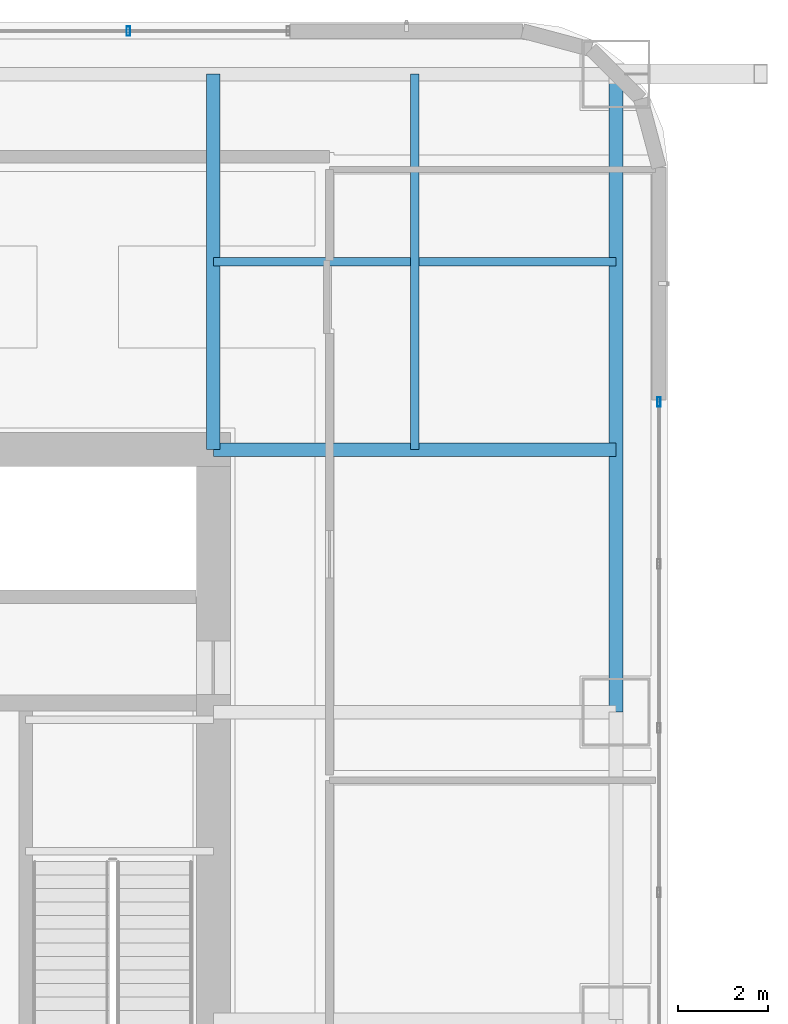
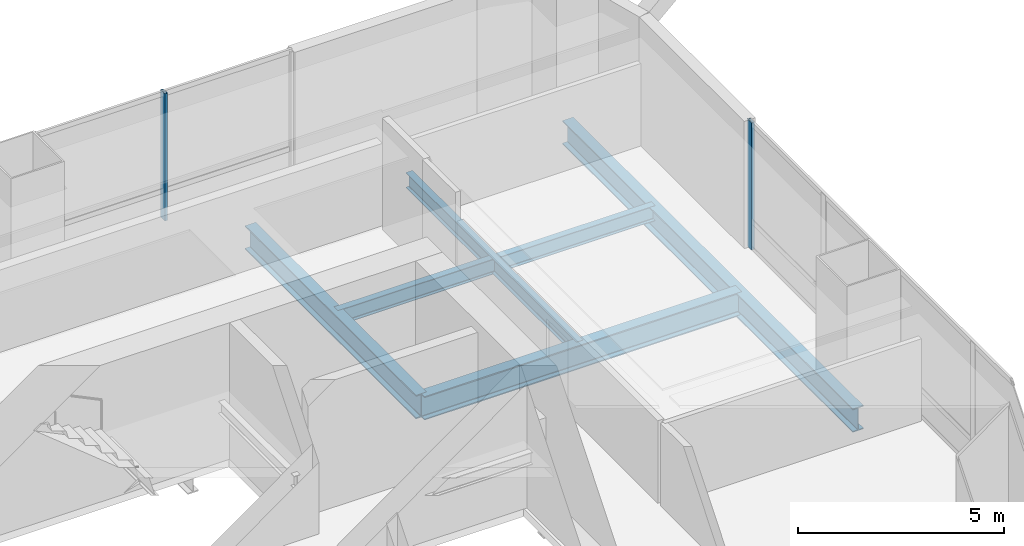
# One storey, part 23 of 45: 5 beams, 2 members, 2 elements without a shape of their own.
"""IFC4 building model written with IfcOpenShell, lengths in metres."""

from ifc_helpers import new_model, si_unit, direction, frame, origin, origin_2d, place, context, subcontext, project, spatial, hollow_rectangle, i_section, extrude, material, material_profile, profile_set, type_object, element, aggregate, save


model = new_model("IFC4")

# Units and contexts
model_context = context("Model", 3, precision=1e-05, world=origin(), true_north=direction((0.0, 1.0)))
body_context = subcontext(model_context, "Body", "Model", "MODEL_VIEW")
ifc_project = project(units=[si_unit("LENGTHUNIT", "METRE"), si_unit("AREAUNIT", "SQUARE_METRE"), si_unit("VOLUMEUNIT", "CUBIC_METRE"), si_unit("PLANEANGLEUNIT", "RADIAN"), si_unit("MASSUNIT", "GRAM", prefix="KILO")], contexts=[model_context])

# Site, building, storey
site_placement = place(None, origin())
site = spatial("IfcSite", under=ifc_project, at=site_placement, CompositionType="ELEMENT")
building_placement = place(site_placement, origin())
building = spatial("IfcBuilding", under=site, at=building_placement, Name="Punatoya Terracotta Tower", CompositionType="ELEMENT")
storey_placement = place(building_placement, frame((0.0, 0.0, 56.550048828125)))
storey = spatial("IfcBuildingStorey", under=building, at=storey_placement, Name="L12", CompositionType="ELEMENT", Elevation=56.550048828125)

# Beams
ifc_material_1 = material(Name="Steel S355", Category="steel")
ifc_material_profile_1 = material_profile(ifc_material_1, i_section(OverallWidth=0.300048828125, OverallDepth=0.699951171875, WebThickness=0.01708984375, FlangeThickness=0.031982421875, FilletRadius=0.01806640625, at=origin_2d()))
ifc_profile_set_1 = profile_set([ifc_material_profile_1], Name="Steel S355")
beam_type_1 = type_object("IfcBeamType", Name="BM-PRI-700", PredefinedType="BEAM", material=ifc_profile_set_1)
beam_1_placement = place(storey_placement, frame((19.10009765625, 3.39990234375, -0.590087890625), z_axis=(0.0, 1.0, 0.0), x_axis=(-1.0, 0.0, 0.0)))
element("IfcBeam", 1, at=beam_1_placement, inside=storey, type_object=beam_type_1, Name="BM-L12-RG-E3", PredefinedType="BEAM", context=body_context, shape_type="SweptSolid", body=[
    extrude(i_section(OverallWidth=0.300048828125, OverallDepth=0.699951171875, WebThickness=0.01708984375, FlangeThickness=0.031982421875, FilletRadius=0.01806640625, at=origin_2d()), origin(), (0.0, 0.0, 1.0), 14.10009765625),
])
beam_2_placement = place(storey_placement, frame((10.199951171875, 9.199951171875, -0.590087890625), z_axis=(1.0, 0.0, 0.0), x_axis=(0.0, 1.0, 0.0)))
element("IfcBeam", 2, at=beam_2_placement, inside=storey, type_object=beam_type_1, Name="BM-L12-PR-EN", PredefinedType="BEAM", context=body_context, shape_type="SweptSolid", body=[
    extrude(i_section(OverallWidth=0.300048828125, OverallDepth=0.699951171875, WebThickness=0.01708984375, FlangeThickness=0.031982421875, FilletRadius=0.01806640625, at=origin_2d()), origin(), (0.0, 0.0, 1.0), 8.900146484375),
])
beam_3_placement = place(storey_placement, frame((10.199951171875, 9.199951171875, -0.590087890625), z_axis=(0.0, 1.0, 0.0), x_axis=(-1.0, 0.0, 0.0)))
element("IfcBeam", 3, at=beam_3_placement, inside=storey, type_object=beam_type_1, Name="BM-L12-PR-N4", PredefinedType="BEAM", context=body_context, shape_type="SweptSolid", body=[
    extrude(i_section(OverallWidth=0.300048828125, OverallDepth=0.699951171875, WebThickness=0.01708984375, FlangeThickness=0.031982421875, FilletRadius=0.01806640625, at=origin_2d()), origin(), (0.0, 0.0, 1.0), 8.300048828125),
])
ifc_material_profile_2 = material_profile(ifc_material_1, i_section(OverallWidth=0.18994140625, OverallDepth=0.449951171875, WebThickness=0.009521484375, FlangeThickness=0.0146484375, FilletRadius=0.01806640625, at=origin_2d()))
ifc_profile_set_2 = profile_set([ifc_material_profile_2], Name="Steel S355")
beam_type_2 = type_object("IfcBeamType", Name="BM-SEC-450", PredefinedType="JOIST", material=ifc_profile_set_2)
beam_4_placement = place(storey_placement, frame((10.199951171875, 13.35009765625, -0.465087890625), z_axis=(1.0, 0.0, 0.0), x_axis=(0.0, 1.0, 0.0)))
element("IfcBeam", 4, at=beam_4_placement, inside=storey, type_object=beam_type_2, Name="BM-L12-SJN-2", PredefinedType="JOIST", context=body_context, shape_type="SweptSolid", body=[
    extrude(i_section(OverallWidth=0.18994140625, OverallDepth=0.449951171875, WebThickness=0.009521484375, FlangeThickness=0.0146484375, FilletRadius=0.01806640625, at=origin_2d()), origin(), (0.0, 0.0, 1.0), 8.900146484375),
])
beam_5_placement = place(storey_placement, frame((14.64990234375, 9.199951171875, -0.465087890625), z_axis=(0.0, 1.0, 0.0), x_axis=(-1.0, 0.0, 0.0)))
element("IfcBeam", 5, at=beam_5_placement, inside=storey, type_object=beam_type_2, Name="BM-L12-SJE-2", PredefinedType="JOIST", context=body_context, shape_type="SweptSolid", body=[
    extrude(i_section(OverallWidth=0.18994140625, OverallDepth=0.449951171875, WebThickness=0.009521484375, FlangeThickness=0.0146484375, FilletRadius=0.01806640625, at=origin_2d()), origin(), (0.0, 0.0, 1.0), 8.300048828125),
])

# Curtain wall, member
ifc_material_2 = material(Name="Aluminium 6063-T6 + Double Low-E Glass", Category="aluminium")
curtain_wall_type = type_object("IfcCurtainWallType", Name="CW-M1", PredefinedType="NOTDEFINED", material=ifc_material_2)
curtain_wall_1_placement = place(storey_placement, origin())
curtain_wall_1 = element("IfcCurtainWall", 6, at=curtain_wall_1_placement, inside=storey, type_object=curtain_wall_type, Name="L12 Curtain Wall CW-L12-E05-1", PredefinedType="NOTDEFINED")
ifc_material_3 = material(Name="Aluminium 6063-T6", Category="aluminium")
ifc_material_profile_3 = material_profile(ifc_material_3, hollow_rectangle(XDim=0.074951171875, YDim=0.2099609375, WallThickness=0.00439453125, at=origin_2d()))
ifc_profile_set_3 = profile_set([ifc_material_profile_3], Name="Aluminium 6063-T6")
member_type = type_object("IfcMemberType", Name="CW-MUL-M1", PredefinedType="MULLION", material=ifc_profile_set_3)
member_1_placement = place(storey_placement, frame((20.050048828125, 10.2548828125, 0.0), z_axis=(0.0, 0.0, 1.0), x_axis=(1.0, 0.0, 0.0)))
member_1 = element("IfcMember", 7, at=member_1_placement, type_object=member_type, Name="CW-L12-E05-1 Mullion 07", PredefinedType="MULLION", context=body_context, shape_type="SweptSolid", body=[
    extrude(hollow_rectangle(XDim=0.074951171875, YDim=0.2099609375, WallThickness=0.00439453125, at=origin_2d()), origin(), (0.0, 0.0, 1.0), 3.77001953125),
])
aggregate(curtain_wall_1, [member_1])

curtain_wall_2_placement = place(storey_placement, origin())
curtain_wall_2 = element("IfcCurtainWall", 8, at=curtain_wall_2_placement, inside=storey, type_object=curtain_wall_type, Name="L12 Curtain Wall CW-L12-N09-1", PredefinedType="NOTDEFINED")
member_2_placement = place(storey_placement, frame((8.324951171875, 18.449951171875, 0.0), z_axis=(0.0, 0.0, 1.0), x_axis=(1.0, 0.0, 0.0)))
member_2 = element("IfcMember", 9, at=member_2_placement, type_object=member_type, Name="CW-L12-N09-1 Mullion 01", PredefinedType="MULLION", context=body_context, shape_type="SweptSolid", body=[
    extrude(hollow_rectangle(XDim=0.074951171875, YDim=0.2099609375, WallThickness=0.00439453125, at=origin_2d()), origin(), (0.0, 0.0, 1.0), 3.77001953125),
])
aggregate(curtain_wall_2, [member_2])

save(model, "model.ifc")
